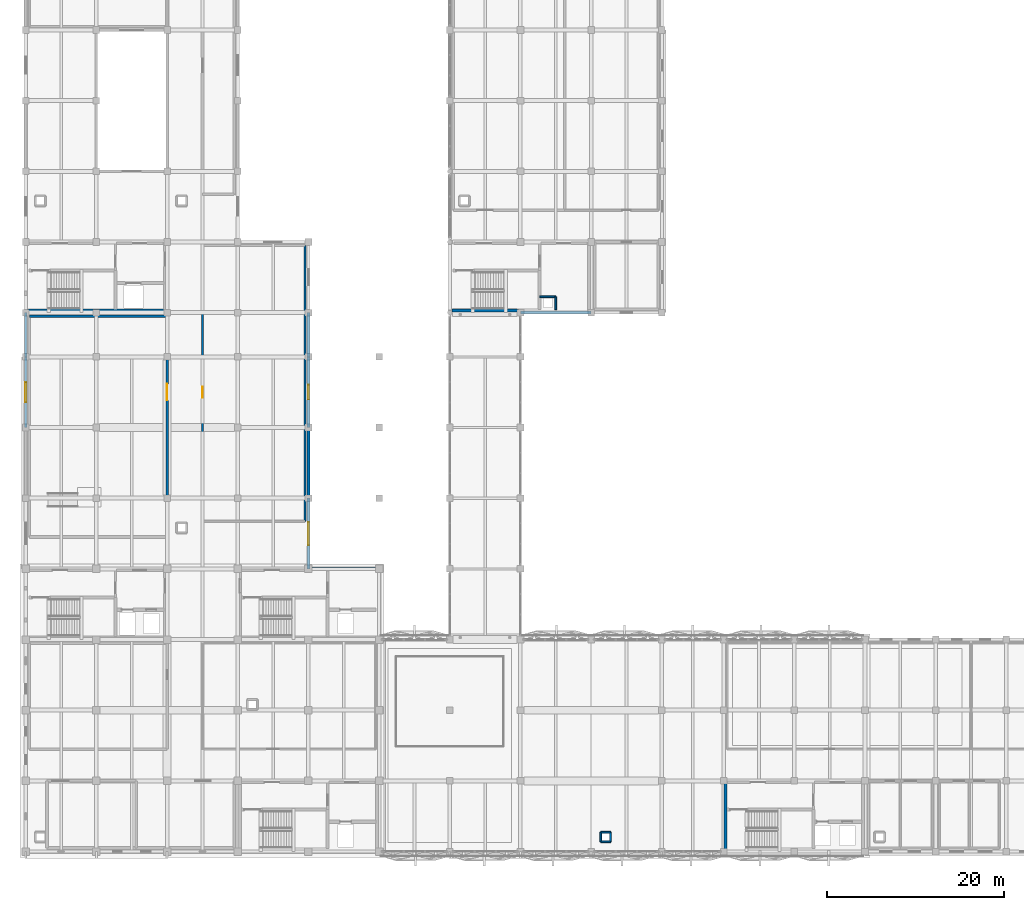
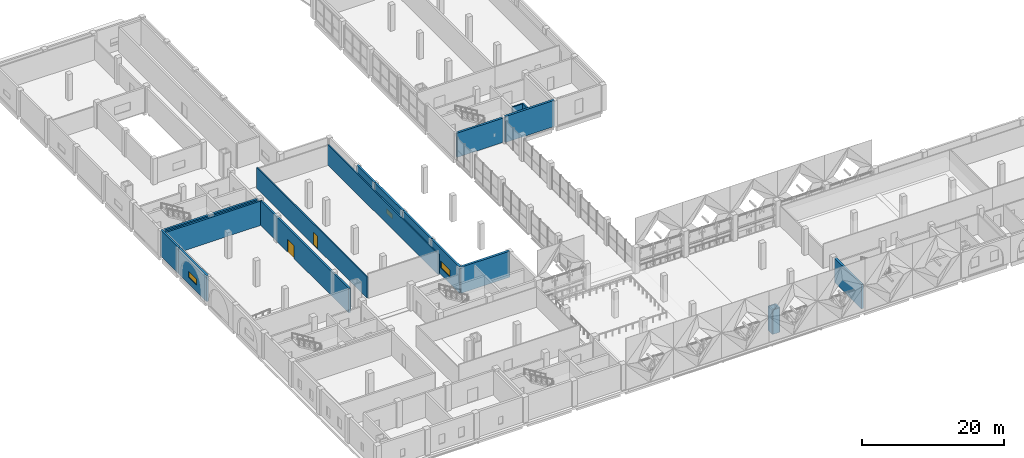
# One storey, part 29 of 53: 21 walls, 3 windows, 2 doors, 5 openings.
"""IFC4 building model written with IfcOpenShell, lengths in metres."""

from ifc_helpers import new_model, si_unit, direction, frame, frame_2d, origin, place, context, subcontext, project, spatial, rectangle, extrude, material, layer, layer_set, type_object, element, fill, save


model = new_model("IFC4")

# Units and contexts
model_context = context("Model", 3, precision=1e-05, world=origin(), true_north=direction((0.0, 1.0)))
body_context = subcontext(model_context, "Body", "Model", "MODEL_VIEW")
ifc_project = project(units=[si_unit("LENGTHUNIT", "METRE"), si_unit("AREAUNIT", "SQUARE_METRE"), si_unit("VOLUMEUNIT", "CUBIC_METRE"), si_unit("PLANEANGLEUNIT", "RADIAN"), si_unit("MASSUNIT", "GRAM", prefix="KILO")], contexts=[model_context])

# Site, building, storey
site_placement = place(None, origin())
site = spatial("IfcSite", under=ifc_project, at=site_placement, CompositionType="ELEMENT")
building_placement = place(site_placement, origin())
building = spatial("IfcBuilding", under=site, at=building_placement, Name="Qorikala Patio Media Centre", CompositionType="ELEMENT")
storey_placement = place(building_placement, frame((0.0, 0.0, 5.39990234375)))
storey = spatial("IfcBuildingStorey", under=building, at=storey_placement, Name="L01", CompositionType="ELEMENT", Elevation=5.39990234375)

# Wall, opening, door
ifc_material_1 = material(Name="Concrete C35/45", Category="concrete")
ifc_layer_1 = layer(ifc_material_1, 0.300048828125)
ifc_layer_set_1 = layer_set([ifc_layer_1], Name="Concrete C35/45")
wall_type_1 = type_object("IfcWallType", Name="WL-AC-300", PredefinedType="SHEAR", material=ifc_layer_set_1)
wall_1_placement = place(storey_placement, frame((19.0, 38.60009765625, 0.0), z_axis=(0.0, 0.0, 1.0), x_axis=(0.0, 1.0, 0.0)))
wall_1 = element("IfcWall", 1, at=wall_1_placement, inside=storey, type_object=wall_type_1, Name="L01 Interior Wall WINT-L01-REC2-E", PredefinedType="SHEAR", context=body_context, shape_type="SweptSolid", body=[
    extrude(rectangle(XDim=25.0, YDim=0.300048828125, at=frame_2d((12.5, 0.0))), origin(), (0.0, 0.0, 1.0), 4.2001953125),
])
opening_1_placement = place(wall_1_placement, frame((15.48388671875, 0.0, 0.0)))
opening_1 = element("IfcOpeningElement", 2, at=opening_1_placement, cuts=wall_1, Name="Opening D261", PredefinedType="OPENING", context=body_context, shape_type="SweptSolid", body=[
    extrude(rectangle(XDim=1.85009765625, YDim=2.25, at=frame_2d((0.925048828125, 1.125))), frame((0.0, 0.159912109375, 0.0), z_axis=(0.0, -1.0, 0.0), x_axis=(1.0, 0.0, 0.0)), (0.0, 0.0, 1.0), 0.320068359375),
])
ifc_material_2 = material(Name="Powder-Coated Acoustic Fire Steel", Category="steel")
door_type_1 = type_object("IfcDoorType", Name="DR-FD60-185X225", OperationType="DOUBLE_DOOR_SINGLE_SWING", PredefinedType="DOOR", material=ifc_material_2)
door_1_placement = place(opening_1_placement, origin())
door_1 = element("IfcDoor", 3, at=door_1_placement, inside=storey, type_object=door_type_1, Name="Orchestral Recording Studio 2 Door 050", OperationType="DOUBLE_DOOR_SINGLE_SWING", OverallHeight=2.25, OverallWidth=1.85009765625, PredefinedType="DOOR", context=body_context, shape_type="SweptSolid", body=[
    extrude(rectangle(XDim=1.85009765625, YDim=2.25, at=frame_2d((0.925048828125, 1.125))), frame((0.0, 0.02490234375, 0.0), z_axis=(0.0, -1.0, 0.0), x_axis=(1.0, 0.0, 0.0)), (0.0, 0.0, 1.0), 0.050048828125),
])
fill(opening_1, door_1)

# Walls
wall_2_placement = place(storey_placement, frame((3.39990234375, 63.60009765625, 0.0), z_axis=(0.0, 0.0, 1.0), x_axis=(1.0, 0.0, 0.0)))
element("IfcWall", 4, at=wall_2_placement, inside=storey, type_object=wall_type_1, Name="L01 Interior Wall WINT-L01-REC2-N", PredefinedType="SHEAR", context=body_context, shape_type="SweptSolid", body=[
    extrude(rectangle(XDim=15.60009765625, YDim=0.300048828125, at=frame_2d((7.800048828125, 0.0))), origin(), (0.0, 0.0, 1.0), 4.2001953125),
])
ifc_layer_2 = layer(ifc_material_1, 0.35009765625)
ifc_layer_set_2 = layer_set([ifc_layer_2], Name="Concrete C35/45")
wall_type_2 = type_object("IfcWallType", Name="WL-CORE-350", PredefinedType="SHEAR", material=ifc_layer_set_2)
wall_3_placement = place(storey_placement, frame((67.0, 64.0, 0.0), z_axis=(0.0, 0.0, 1.0), x_axis=(-1.0, 0.0, 0.0)))
element("IfcWall", 5, at=wall_3_placement, inside=storey, type_object=wall_type_2, Name="L01 Core C6 Exterior Shear Wall", PredefinedType="SHEAR", context=body_context, shape_type="SweptSolid", body=[
    extrude(rectangle(XDim=8.0, YDim=0.35009765625, at=frame_2d((4.0, 0.0))), origin(), (0.0, 0.0, 1.0), 4.5),
])
wall_4_placement = place(storey_placement, frame((3.199951171875, 64.22509765625, 0.0), z_axis=(0.0, 0.0, 1.0), x_axis=(1.0, 0.0, 0.0)))
element("IfcWall", 6, at=wall_4_placement, inside=storey, type_object=wall_type_2, Name="L01 Core C3 Stair South Wall", PredefinedType="SHEAR", context=body_context, shape_type="SweptSolid", body=[
    extrude(rectangle(XDim=15.60009765625, YDim=0.35009765625, at=frame_2d((7.800048828125, 0.0))), origin(), (0.0, 0.0, 1.0), 4.2001953125),
])
wall_5_placement = place(storey_placement, frame((82.22509765625, 3.199951171875, 0.0), z_axis=(0.0, 0.0, 1.0), x_axis=(0.0, 1.0, 0.0)))
element("IfcWall", 7, at=wall_5_placement, inside=storey, type_object=wall_type_2, Name="L01 Interior Wall CW-L01-C4-SW", PredefinedType="SHEAR", context=body_context, shape_type="SweptSolid", body=[
    extrude(rectangle(XDim=7.60009765625, YDim=0.35009765625, at=frame_2d((3.800048828125, 0.0))), origin(), (0.0, 0.0, 1.0), 4.2001953125),
])
wall_6_placement = place(storey_placement, frame((51.25, 64.22509765625, 0.0), z_axis=(0.0, 0.0, 1.0), x_axis=(1.0, 0.0, 0.0)))
element("IfcWall", 8, at=wall_6_placement, inside=storey, type_object=wall_type_2, Name="L01 Core C6 Bridge Stair Wall", PredefinedType="SHEAR", context=body_context, shape_type="SweptSolid", body=[
    extrude(rectangle(XDim=7.5, YDim=0.35009765625, at=frame_2d((3.75, 0.0))), origin(), (0.0, 0.0, 1.0), 4.2001953125),
])

# Wall, opening, window
ifc_material_3 = material(Name="Ivory Lime Stucco and Concrete C35/45", Category="concrete")
ifc_layer_3 = layer(ifc_material_3, 0.320068359375)
ifc_layer_set_3 = layer_set([ifc_layer_3], Name="Ivory Lime Stucco and Concrete C35/45")
wall_type_3 = type_object("IfcWallType", Name="WL-EXT-320", PredefinedType="SOLIDWALL", material=ifc_layer_set_3)
wall_7_placement = place(storey_placement, frame((3.0, 51.0, 0.0), z_axis=(0.0, 0.0, 1.0), x_axis=(0.0, 1.0, 0.0)))
wall_7 = element("IfcWall", 9, at=wall_7_placement, inside=storey, type_object=wall_type_3, Name="L01 Exterior Wall WL-L01-EXT-0012", PredefinedType="SOLIDWALL", context=body_context, shape_type="SweptSolid", body=[
    extrude(rectangle(XDim=8.0, YDim=0.320068359375, at=frame_2d((4.0, 0.0))), origin(), (0.0, 0.0, 1.0), 4.5),
])
opening_2_placement = place(wall_7_placement, frame((2.875, 0.0, 1.10009765625)))
opening_2 = element("IfcOpeningElement", 10, at=opening_2_placement, cuts=wall_7, Name="Opening WL-225", PredefinedType="OPENING", context=body_context, shape_type="SweptSolid", body=[
    extrude(rectangle(XDim=2.25, YDim=1.02001953125, at=frame_2d((1.125, 0.510009765625))), frame((0.0, 0.169921875, 0.0), z_axis=(0.0, -1.0, 0.0), x_axis=(1.0, 0.0, 0.0)), (0.0, 0.0, 1.0), 0.340087890625),
])
ifc_material_4 = material(Name="Acoustic Laminated Low-E Glass", Category="glass")
window_type_1 = type_object("IfcWindowType", Name="WN-CL-225X102", PartitioningType="SINGLE_PANEL", PredefinedType="WINDOW", material=ifc_material_4)
window_1_placement = place(opening_2_placement, origin())
window_1 = element("IfcWindow", 11, at=window_1_placement, inside=storey, type_object=window_type_1, Name="L01 High Acoustic Clerestory Window 0073", OverallHeight=1.02001953125, OverallWidth=2.25, PartitioningType="SINGLE_PANEL", PredefinedType="WINDOW", context=body_context, shape_type="SweptSolid", body=[
    extrude(rectangle(XDim=2.25, YDim=1.02001953125, at=frame_2d((1.125, 0.510009765625))), frame((0.0, 0.030029296875, 0.0), z_axis=(0.0, -1.0, 0.0), x_axis=(1.0, 0.0, 0.0)), (0.0, 0.0, 1.0), 0.06005859375),
])
fill(opening_2, window_1)

# Walls
for number, where, z_axis, x_axis, name in (
    (12, (3.0, 59.0, 0.0), (0.0, 0.0, 1.0), (0.0, 1.0, 0.0), "L01 Exterior Wall WL-L01-EXT-0013"),
    (13, (35.0, 64.0, 0.0), (0.0, 0.0, 1.0), (0.0, -1.0, 0.0), "L01 Exterior Wall WL-L01-EXT-0030"),
):
    element("IfcWall", number, at=place(storey_placement, frame(where, z_axis=z_axis, x_axis=x_axis)), inside=storey, type_object=wall_type_3, Name=name, PredefinedType="SOLIDWALL", context=body_context, shape_type="SweptSolid", body=[
        extrude(rectangle(XDim=5.0, YDim=0.320068359375, at=frame_2d((2.5, 0.0))), origin(), (0.0, 0.0, 1.0), 4.5),
    ])

# Wall, opening, window
wall_8_placement = place(storey_placement, frame((35.0, 59.0, 0.0), z_axis=(0.0, 0.0, 1.0), x_axis=(0.0, -1.0, 0.0)))
wall_8 = element("IfcWall", 14, at=wall_8_placement, inside=storey, type_object=wall_type_3, Name="L01 Exterior Wall WL-L01-EXT-0031", PredefinedType="SOLIDWALL", context=body_context, shape_type="SweptSolid", body=[
    extrude(rectangle(XDim=8.0, YDim=0.320068359375, at=frame_2d((4.0, 0.0))), origin(), (0.0, 0.0, 1.0), 4.5),
])
opening_3_placement = place(wall_8_placement, frame((3.175048828125, 0.0, 1.10009765625)))
opening_3 = element("IfcOpeningElement", 15, at=opening_3_placement, cuts=wall_8, Name="Opening WL-165", PredefinedType="OPENING", context=body_context, shape_type="SweptSolid", body=[
    extrude(rectangle(XDim=1.64990234375, YDim=0.800048828125, at=frame_2d((0.824951171875, 0.39990234375))), frame((0.0, 0.169921875, 0.0), z_axis=(0.0, -1.0, 0.0), x_axis=(1.0, 0.0, 0.0)), (0.0, 0.0, 1.0), 0.340087890625),
])
window_type_2 = type_object("IfcWindowType", Name="WN-CL-165X080", PartitioningType="SINGLE_PANEL", PredefinedType="WINDOW", material=ifc_material_4)
window_2_placement = place(opening_3_placement, origin())
window_2 = element("IfcWindow", 16, at=window_2_placement, inside=storey, type_object=window_type_2, Name="L01 High Acoustic Clerestory Window 0084", OverallHeight=0.800048828125, OverallWidth=1.64990234375, PartitioningType="SINGLE_PANEL", PredefinedType="WINDOW", context=body_context, shape_type="SweptSolid", body=[
    extrude(rectangle(XDim=1.64990234375, YDim=0.800048828125, at=frame_2d((0.824951171875, 0.39990234375))), frame((0.0, 0.030029296875, 0.0), z_axis=(0.0, -1.0, 0.0), x_axis=(1.0, 0.0, 0.0)), (0.0, 0.0, 1.0), 0.06005859375),
])
fill(opening_3, window_2)

# Wall
wall_9_placement = place(storey_placement, frame((35.0, 51.0, 0.0), z_axis=(0.0, 0.0, 1.0), x_axis=(0.0, -1.0, 0.0)))
element("IfcWall", 17, at=wall_9_placement, inside=storey, type_object=wall_type_3, Name="L01 Exterior Wall WL-L01-EXT-0032", PredefinedType="SOLIDWALL", context=body_context, shape_type="SweptSolid", body=[
    extrude(rectangle(XDim=8.0, YDim=0.320068359375, at=frame_2d((4.0, 0.0))), origin(), (0.0, 0.0, 1.0), 4.5),
])

# Wall, opening, window
wall_10_placement = place(storey_placement, frame((35.0, 43.0, 0.0), z_axis=(0.0, 0.0, 1.0), x_axis=(0.0, -1.0, 0.0)))
wall_10 = element("IfcWall", 18, at=wall_10_placement, inside=storey, type_object=wall_type_3, Name="L01 Exterior Wall WL-L01-EXT-0033", PredefinedType="SOLIDWALL", context=body_context, shape_type="SweptSolid", body=[
    extrude(rectangle(XDim=8.0, YDim=0.320068359375, at=frame_2d((4.0, 0.0))), origin(), (0.0, 0.0, 1.0), 4.5),
])
opening_4_placement = place(wall_10_placement, frame((2.699951171875, 0.0, 1.10009765625)))
opening_4 = element("IfcOpeningElement", 19, at=opening_4_placement, cuts=wall_10, Name="Opening WL-260", PredefinedType="OPENING", context=body_context, shape_type="SweptSolid", body=[
    extrude(rectangle(XDim=2.60009765625, YDim=1.199951171875, at=frame_2d((1.300048828125, 0.60009765625))), frame((0.0, 0.169921875, 0.0), z_axis=(0.0, -1.0, 0.0), x_axis=(1.0, 0.0, 0.0)), (0.0, 0.0, 1.0), 0.340087890625),
])
window_type_3 = type_object("IfcWindowType", Name="WN-CL-260X120", PartitioningType="SINGLE_PANEL", PredefinedType="WINDOW", material=ifc_material_4)
window_3_placement = place(opening_4_placement, origin())
window_3 = element("IfcWindow", 20, at=window_3_placement, inside=storey, type_object=window_type_3, Name="L01 High Acoustic Clerestory Window 0085", OverallHeight=1.199951171875, OverallWidth=2.60009765625, PartitioningType="SINGLE_PANEL", PredefinedType="WINDOW", context=body_context, shape_type="SweptSolid", body=[
    extrude(rectangle(XDim=2.60009765625, YDim=1.199951171875, at=frame_2d((1.300048828125, 0.60009765625))), frame((0.0, 0.030029296875, 0.0), z_axis=(0.0, -1.0, 0.0), x_axis=(1.0, 0.0, 0.0)), (0.0, 0.0, 1.0), 0.06005859375),
])
fill(opening_4, window_3)

# Walls
ifc_material_5 = material(Name="Acoustic Masonry and Plaster Concrete C30/37", Category="masonry")
ifc_layer_4 = layer(ifc_material_5, 0.199951171875)
ifc_layer_set_4 = layer_set([ifc_layer_4], Name="Acoustic Masonry and Plaster Concrete C30/37")
wall_type_4 = type_object("IfcWallType", Name="WL-ST-200", PredefinedType="PARTITIONING", material=ifc_layer_set_4)
wall_11_placement = place(storey_placement, frame((61.199951171875, 65.800048828125, 0.0), z_axis=(0.0, 0.0, 1.0), x_axis=(1.0, 0.0, 0.0)))
element("IfcWall", 21, at=wall_11_placement, inside=storey, type_object=wall_type_4, Name="L01 Interior Wall CW-L01-C6-RSN", PredefinedType="PARTITIONING", context=body_context, shape_type="SweptSolid", body=[
    extrude(rectangle(XDim=1.800048828125, YDim=0.199951171875, at=frame_2d((0.89990234375, 0.0))), origin(), (0.0, 0.0, 1.0), 4.2001953125),
])
wall_12_placement = place(storey_placement, frame((63.0, 64.35009765625, 0.0), z_axis=(0.0, 0.0, 1.0), x_axis=(0.0, 1.0, 0.0)))
element("IfcWall", 22, at=wall_12_placement, inside=storey, type_object=wall_type_4, Name="L01 Interior Wall CW-L01-C6-RSE", PredefinedType="PARTITIONING", context=body_context, shape_type="SweptSolid", body=[
    extrude(rectangle(XDim=1.449951171875, YDim=0.199951171875, at=frame_2d((0.72509765625, 0.0))), origin(), (0.0, 0.0, 1.0), 4.2001953125),
])
wall_13_placement = place(storey_placement, frame((34.60009765625, 40.39990234375, 0.0), z_axis=(0.0, 0.0, 1.0), x_axis=(0.0, 1.0, 0.0)))
element("IfcWall", 23, at=wall_13_placement, inside=storey, type_object=wall_type_4, Name="L01 Interior Wall WINT-L01-CTR2-E", PredefinedType="PARTITIONING", context=body_context, shape_type="SweptSolid", body=[
    extrude(rectangle(XDim=31.2001953125, YDim=0.199951171875, at=frame_2d((15.60009765625, 0.0))), origin(), (0.0, 0.0, 1.0), 3.505126953125),
])

# Wall, opening, door
wall_14_placement = place(storey_placement, frame((23.0, 40.39990234375, 0.0), z_axis=(0.0, 0.0, 1.0), x_axis=(0.0, 1.0, 0.0)))
wall_14 = element("IfcWall", 24, at=wall_14_placement, inside=storey, type_object=wall_type_4, Name="L01 Interior Wall WINT-L01-CTR2-W", PredefinedType="PARTITIONING", context=body_context, shape_type="SweptSolid", body=[
    extrude(rectangle(XDim=31.2001953125, YDim=0.199951171875, at=frame_2d((15.60009765625, 0.0))), origin(), (0.0, 0.0, 1.0), 3.635009765625),
])
opening_5_placement = place(wall_14_placement, frame((13.9970703125, 0.0, 0.0)))
opening_5 = element("IfcOpeningElement", 25, at=opening_5_placement, cuts=wall_14, Name="Opening D262", PredefinedType="OPENING", context=body_context, shape_type="SweptSolid", body=[
    extrude(rectangle(XDim=1.199951171875, YDim=2.199951171875, at=frame_2d((0.60009765625, 1.10009765625))), frame((0.0, 0.10986328125, 0.0), z_axis=(0.0, -1.0, 0.0), x_axis=(1.0, 0.0, 0.0)), (0.0, 0.0, 1.0), 0.219970703125),
])
ifc_material_6 = material(Name="Acoustic Fire Timber and Steel", Category="steel")
door_type_2 = type_object("IfcDoorType", Name="DR-FD60-120X220", OperationType="NOTDEFINED", PredefinedType="DOOR", material=ifc_material_6)
door_2_placement = place(opening_5_placement, origin())
door_2 = element("IfcDoor", 26, at=door_2_placement, inside=storey, type_object=door_type_2, Name="Recording Studio 2 Control Room Door 051", OperationType="SINGLE_SWING_RIGHT", OverallHeight=2.199951171875, OverallWidth=1.199951171875, PredefinedType="DOOR", context=body_context, shape_type="SweptSolid", body=[
    extrude(rectangle(XDim=1.199951171875, YDim=2.199951171875, at=frame_2d((0.60009765625, 1.10009765625))), frame((0.0, 0.02490234375, 0.0), z_axis=(0.0, -1.0, 0.0), x_axis=(1.0, 0.0, 0.0)), (0.0, 0.0, 1.0), 0.050048828125),
])
fill(opening_5, door_2)

# Walls
for number, where, z_axis, x_axis, name in (
    (27, (68.10009765625, 4.10009765625, 0.0), (0.0, 0.0, 1.0), (1.0, 0.0, 0.0), "L01 Interior Wall RSW-2-L01-S"),
    (28, (68.10009765625, 5.199951171875, 0.0), (0.0, 0.0, 1.0), (1.0, 0.0, 0.0), "L01 Interior Wall RSW-2-L01-N"),
    (29, (68.10009765625, 4.10009765625, 0.0), (0.0, 0.0, 1.0), (0.0, 1.0, 0.0), "L01 Interior Wall RSW-2-L01-W"),
    (30, (69.199951171875, 4.10009765625, 0.0), (0.0, 0.0, 1.0), (0.0, 1.0, 0.0), "L01 Interior Wall RSW-2-L01-E"),
):
    element("IfcWall", number, at=place(storey_placement, frame(where, z_axis=z_axis, x_axis=x_axis)), inside=storey, type_object=wall_type_4, Name=name, PredefinedType="PARTITIONING", context=body_context, shape_type="SweptSolid", body=[
        extrude(rectangle(XDim=1.099853515625, YDim=0.199951171875, at=frame_2d((0.5498046875, 0.0))), origin(), (0.0, 0.0, 1.0), 4.2001953125),
    ])
ifc_material_7 = material(Name="Comanche Granite and Concrete C35/45", Category="masonry")
ifc_layer_5 = layer(ifc_material_7, 0.3798828125)
ifc_layer_set_5 = layer_set([ifc_layer_5], Name="Comanche Granite and Concrete C35/45")
wall_type_5 = type_object("IfcWallType", Name="WL-STONE-380", PredefinedType="SOLIDWALL", material=ifc_layer_set_5)
wall_15_placement = place(storey_placement, frame((35.0, 35.0, 0.0), z_axis=(0.0, 0.0, 1.0), x_axis=(1.0, 0.0, 0.0)))
element("IfcWall", 31, at=wall_15_placement, inside=storey, type_object=wall_type_5, Name="L01 Core C5 Exterior Shear Wall", PredefinedType="SOLIDWALL", context=body_context, shape_type="SweptSolid", body=[
    extrude(rectangle(XDim=8.0, YDim=0.3798828125, at=frame_2d((4.0, 0.0))), origin(), (0.0, 0.0, 1.0), 4.5),
])

save(model, "model.ifc")
